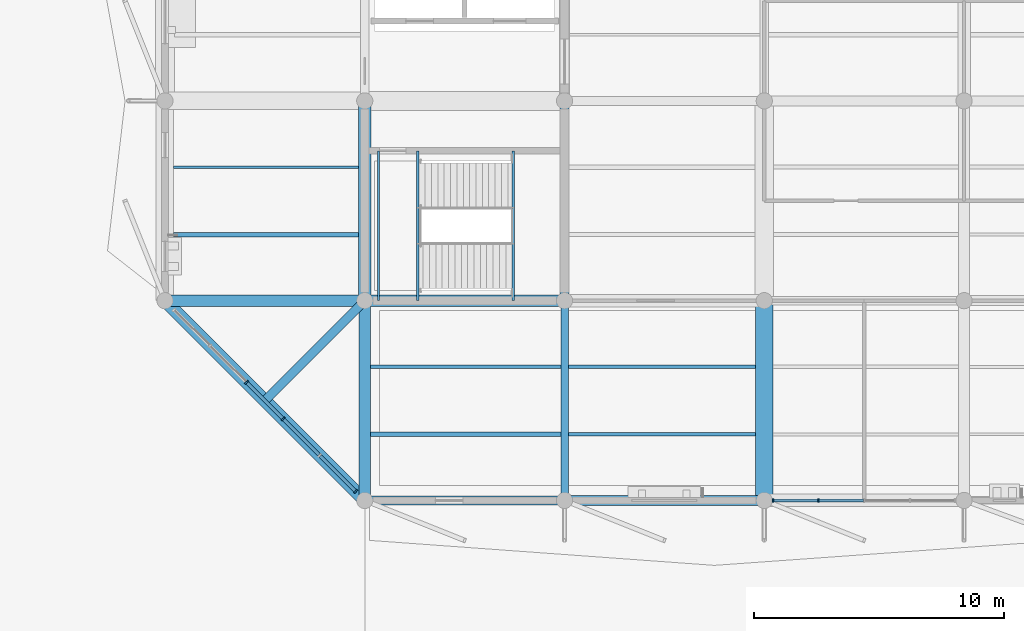
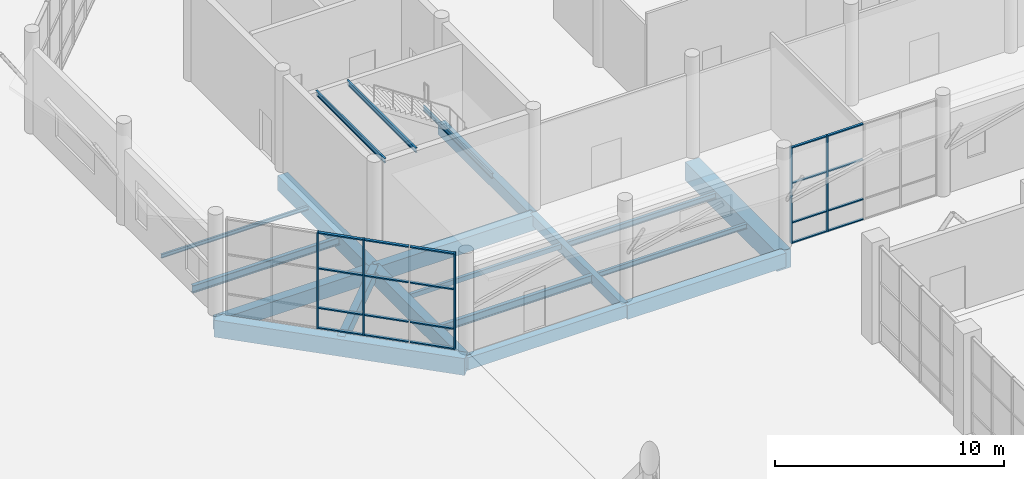
# One storey, part 46 of 123: 25 members, 20 beams, 2 elements without a shape of their own.
"""IFC4 building model written with IfcOpenShell, lengths in metres."""

from ifc_helpers import new_model, si_unit, direction, frame, origin, origin_2d, place, context, subcontext, project, spatial, rectangle, hollow_rectangle, i_section, extrude, material, material_profile, profile_set, type_object, element, aggregate, save


model = new_model("IFC4")

# Units and contexts
model_context = context("Model", 3, precision=1e-05, world=origin(), true_north=direction((0.0, 1.0)))
body_context = subcontext(model_context, "Body", "Model", "MODEL_VIEW")
ifc_project = project(units=[si_unit("LENGTHUNIT", "METRE"), si_unit("AREAUNIT", "SQUARE_METRE"), si_unit("VOLUMEUNIT", "CUBIC_METRE"), si_unit("PLANEANGLEUNIT", "RADIAN"), si_unit("MASSUNIT", "GRAM", prefix="KILO")], contexts=[model_context])

# Site, building, storey
site_placement = place(None, origin())
site = spatial("IfcSite", under=ifc_project, at=site_placement, CompositionType="ELEMENT")
building_placement = place(site_placement, origin())
building = spatial("IfcBuilding", under=site, at=building_placement, Name="Tenunan Teduh Sports Hall", CompositionType="ELEMENT")
storey_placement = place(building_placement, origin())
storey = spatial("IfcBuildingStorey", under=building, at=storey_placement, Name="L00", CompositionType="ELEMENT", Elevation=0.0)

# Beams
ifc_material_1 = material(Name="Concrete C40/50", Category="concrete")
ifc_material_profile_1 = material_profile(ifc_material_1, rectangle(XDim=0.300048828125, YDim=0.550048828125, at=origin_2d()), Name="RCB 300x550")
ifc_profile_set_1 = profile_set([ifc_material_profile_1], Name="Concrete C40/50")
beam_type_1 = type_object("IfcBeamType", Name="BM-RC-300x550", PredefinedType="BEAM", material=ifc_profile_set_1)
beam_1_placement = place(storey_placement, frame((114.0, 86.0, -0.554931640625), z_axis=(0.0, 1.0, 0.0), x_axis=(-1.0, 0.0, 0.0)))
element("IfcBeam", 1, at=beam_1_placement, inside=storey, type_object=beam_type_1, Name="BM-B-02-L00-0842", PredefinedType="BEAM", context=body_context, shape_type="SweptSolid", body=[
    extrude(rectangle(XDim=0.300048828125, YDim=0.550048828125, at=origin_2d()), origin(), (0.0, 0.0, 1.0), 8.0),
])
ifc_material_2 = material(Name="Concrete C40/50", Category="concrete")
ifc_material_profile_2 = material_profile(ifc_material_2, rectangle(XDim=0.35009765625, YDim=0.60009765625, at=origin_2d()), Name="RCB 350x600")
ifc_profile_set_2 = profile_set([ifc_material_profile_2], Name="Concrete C40/50")
beam_type_2 = type_object("IfcBeamType", Name="BM-RC-350x600", PredefinedType="BEAM", material=ifc_profile_set_2)
beam_2_placement = place(storey_placement, frame((106.0, 94.0, -0.56005859375), z_axis=(-0.707106781187, -0.707106781187, 0.0), x_axis=(0.707106781187, -0.707106781187, 0.0)))
element("IfcBeam", 2, at=beam_2_placement, inside=storey, type_object=beam_type_2, Name="BM-B-04-L00-2237", PredefinedType="BEAM", context=body_context, shape_type="SweptSolid", body=[
    extrude(rectangle(XDim=0.35009765625, YDim=0.60009765625, at=origin_2d()), origin(), (0.0, 0.0, 1.0), 5.65673828125),
])
ifc_material_3 = material(Name="Concrete C40/50", Category="concrete")
ifc_material_profile_3 = material_profile(ifc_material_3, rectangle(XDim=0.35009765625, YDim=0.64990234375, at=origin_2d()), Name="RCB 350x650")
ifc_profile_set_3 = profile_set([ifc_material_profile_3], Name="Concrete C40/50")
beam_type_3 = type_object("IfcBeamType", Name="BM-RC-350x650", PredefinedType="BEAM", material=ifc_profile_set_3)
for number, where, z_axis, x_axis, name in (
    (3, (106.0, 86.0, -0.60498046875), (1.0, 0.0, 0.0), (0.0, 1.0, 0.0), "BM-B-05-L00-0692"),
    (4, (114.0, 94.0, -0.60498046875), (0.0, 1.0, 0.0), (-1.0, 0.0, 0.0), "BM-B-05-L00-0843"),
):
    element("IfcBeam", number, at=place(storey_placement, frame(where, z_axis=z_axis, x_axis=x_axis)), inside=storey, type_object=beam_type_3, Name=name, PredefinedType="BEAM", context=body_context, shape_type="SweptSolid", body=[
        extrude(rectangle(XDim=0.35009765625, YDim=0.64990234375, at=origin_2d()), origin(), (0.0, 0.0, 1.0), 8.0),
    ])
ifc_material_4 = material(Name="Concrete C40/50", Category="concrete")
ifc_material_profile_4 = material_profile(ifc_material_4, rectangle(XDim=0.39990234375, YDim=0.75, at=origin_2d()), Name="RCB 400x750")
ifc_profile_set_4 = profile_set([ifc_material_profile_4], Name="Concrete C40/50")
beam_type_4 = type_object("IfcBeamType", Name="BM-RC-400x750", PredefinedType="BEAM", material=ifc_profile_set_4)
beam_3_placement = place(storey_placement, frame((114.0, 86.0, -0.655029296875), z_axis=(1.0, 0.0, 0.0), x_axis=(0.0, 1.0, 0.0)))
element("IfcBeam", 5, at=beam_3_placement, inside=storey, type_object=beam_type_4, Name="BM-B-09-L00-0693", PredefinedType="BEAM", context=body_context, shape_type="SweptSolid", body=[
    extrude(rectangle(XDim=0.39990234375, YDim=0.75, at=origin_2d()), origin(), (0.0, 0.0, 1.0), 8.0),
])
ifc_material_5 = material(Name="Concrete C40/50", Category="concrete")
ifc_material_profile_5 = material_profile(ifc_material_5, rectangle(XDim=0.449951171875, YDim=0.75, at=origin_2d()), Name="RCB 450x750")
ifc_profile_set_5 = profile_set([ifc_material_profile_5], Name="Concrete C40/50")
beam_type_5 = type_object("IfcBeamType", Name="BM-RC-450x750", PredefinedType="BEAM", material=ifc_profile_set_5)
beam_4_placement = place(storey_placement, frame((98.0, 94.0, -0.655029296875), z_axis=(1.0, 0.0, 0.0), x_axis=(0.0, 1.0, 0.0)))
element("IfcBeam", 6, at=beam_4_placement, inside=storey, type_object=beam_type_5, Name="BM-B-11-L00-0708", PredefinedType="BEAM", context=body_context, shape_type="SweptSolid", body=[
    extrude(rectangle(XDim=0.449951171875, YDim=0.75, at=origin_2d()), origin(), (0.0, 0.0, 1.0), 8.0),
])
ifc_material_6 = material(Name="Concrete C40/50", Category="concrete")
ifc_material_profile_6 = material_profile(ifc_material_6, rectangle(XDim=0.449951171875, YDim=0.800048828125, at=origin_2d()), Name="RCB 450x800")
ifc_profile_set_6 = profile_set([ifc_material_profile_6], Name="Concrete C40/50")
beam_type_6 = type_object("IfcBeamType", Name="BM-RC-450x800", PredefinedType="BEAM", material=ifc_profile_set_6)
for number, where, z_axis, x_axis, name in (
    (7, (106.0, 94.0, -0.679931640625), (1.0, 0.0, 0.0), (0.0, 1.0, 0.0), "BM-B-12-L00-0709"),
    (8, (106.0, 86.0, -0.679931640625), (0.0, 1.0, 0.0), (-1.0, 0.0, 0.0), "BM-B-12-L00-0838"),
):
    element("IfcBeam", number, at=place(storey_placement, frame(where, z_axis=z_axis, x_axis=x_axis)), inside=storey, type_object=beam_type_6, Name=name, PredefinedType="BEAM", context=body_context, shape_type="SweptSolid", body=[
        extrude(rectangle(XDim=0.449951171875, YDim=0.800048828125, at=origin_2d()), origin(), (0.0, 0.0, 1.0), 8.0),
    ])
ifc_material_7 = material(Name="Concrete C40/50", Category="concrete")
ifc_material_profile_7 = material_profile(ifc_material_7, rectangle(XDim=0.5, YDim=0.800048828125, at=origin_2d()), Name="RCB 500x800")
ifc_profile_set_7 = profile_set([ifc_material_profile_7], Name="Concrete C40/50")
beam_type_7 = type_object("IfcBeamType", Name="BM-RC-500x800", PredefinedType="BEAM", material=ifc_profile_set_7)
beam_5_placement = place(storey_placement, frame((106.0, 94.0, -0.679931640625), z_axis=(0.0, 1.0, 0.0), x_axis=(-1.0, 0.0, 0.0)))
element("IfcBeam", 9, at=beam_5_placement, inside=storey, type_object=beam_type_7, Name="BM-B-14-L00-0839", PredefinedType="BEAM", context=body_context, shape_type="SweptSolid", body=[
    extrude(rectangle(XDim=0.5, YDim=0.800048828125, at=origin_2d()), origin(), (0.0, 0.0, 1.0), 8.0),
])
ifc_material_8 = material(Name="Concrete C40/50", Category="concrete")
ifc_material_profile_8 = material_profile(ifc_material_8, rectangle(XDim=0.5, YDim=0.89990234375, at=origin_2d()), Name="RCB 500x900")
ifc_profile_set_8 = profile_set([ifc_material_profile_8], Name="Concrete C40/50")
beam_type_8 = type_object("IfcBeamType", Name="BM-RC-500x900", PredefinedType="BEAM", material=ifc_profile_set_8)
beam_6_placement = place(storey_placement, frame((98.0, 94.0, -0.7099609375), z_axis=(0.707106781187, -0.707106781187, 0.0), x_axis=(0.707106781187, 0.707106781187, 0.0)))
element("IfcBeam", 10, at=beam_6_placement, inside=storey, type_object=beam_type_8, Name="BM-B-15-L00-0602", PredefinedType="BEAM", context=body_context, shape_type="SweptSolid", body=[
    extrude(rectangle(XDim=0.5, YDim=0.89990234375, at=origin_2d()), origin(), (0.0, 0.0, 1.0), 11.313720703125),
])
ifc_material_9 = material(Name="Concrete C40/50", Category="concrete")
ifc_material_profile_9 = material_profile(ifc_material_9, rectangle(XDim=0.699951171875, YDim=1.0, at=origin_2d()), Name="RCB 700x1000")
ifc_profile_set_9 = profile_set([ifc_material_profile_9], Name="Concrete C40/50")
beam_type_9 = type_object("IfcBeamType", Name="BM-RC-700x1000", PredefinedType="SPANDREL", material=ifc_profile_set_9)
beam_7_placement = place(storey_placement, frame((122.0, 86.0, -0.780029296875), z_axis=(0.0, 1.0, 0.0), x_axis=(-1.0, 0.0, 0.0)))
element("IfcBeam", 11, at=beam_7_placement, inside=storey, type_object=beam_type_9, Name="BM-B-19-L00-0854", PredefinedType="SPANDREL", context=body_context, shape_type="SweptSolid", body=[
    extrude(rectangle(XDim=0.699951171875, YDim=1.0, at=origin_2d()), origin(), (0.0, 0.0, 1.0), 8.0),
])

# Curtain wall, members
ifc_material_10 = material(Name="Anodised aluminium", Category="aluminium")
curtain_wall_type = type_object("IfcCurtainWallType", Name="CW-UNIT-1", PredefinedType="NOTDEFINED", material=ifc_material_10)
curtain_wall_1_placement = place(storey_placement, origin())
curtain_wall_1 = element("IfcCurtainWall", 12, at=curtain_wall_1_placement, inside=storey, type_object=curtain_wall_type, Name="CW-CWM-150-L00-235", PredefinedType="NOTDEFINED")
ifc_material_11 = material(Name="Anodised aluminium", Category="aluminium")
ifc_material_profile_10 = material_profile(ifc_material_11, rectangle(XDim=0.06005859375, YDim=0.14990234375, at=origin_2d()), Name="CWM 60x150")
ifc_profile_set_10 = profile_set([ifc_material_profile_10], Name="Anodised aluminium")
member_type_1 = type_object("IfcMemberType", Name="CWM-150", PredefinedType="MULLION", material=ifc_profile_set_10)
member_1_placement = place(storey_placement, frame((122.35498046875, 86.0, 0.0), z_axis=(0.0, 0.0, 1.0), x_axis=(1.0, 0.0, 0.0)))
member_1 = element("IfcMember", 13, at=member_1_placement, type_object=member_type_1, Name="CW-01 mullion 1", PredefinedType="MULLION", context=body_context, shape_type="SweptSolid", body=[
    extrude(rectangle(XDim=0.06005859375, YDim=0.14990234375, at=origin_2d()), origin(), (0.0, 0.0, 1.0), 5.1201171875),
])
member_2_placement = place(storey_placement, frame((124.16259765625, 86.0, 0.0), z_axis=(0.0, 0.0, 1.0), x_axis=(1.0, 0.0, 0.0)))
member_2 = element("IfcMember", 14, at=member_2_placement, type_object=member_type_1, Name="CW-01 mullion 2", PredefinedType="MULLION", context=body_context, shape_type="SweptSolid", body=[
    extrude(rectangle(XDim=0.06005859375, YDim=0.14990234375, at=origin_2d()), origin(), (0.0, 0.0, 1.0), 5.1201171875),
])

curtain_wall_2_placement = place(storey_placement, origin())
curtain_wall_2 = element("IfcCurtainWall", 15, at=curtain_wall_2_placement, inside=storey, type_object=curtain_wall_type, Name="CW-CWM-175-L00-242", PredefinedType="NOTDEFINED")
ifc_material_12 = material(Name="Anodised aluminium", Category="aluminium")
ifc_material_profile_11 = material_profile(ifc_material_12, rectangle(XDim=0.06494140625, YDim=0.175048828125, at=origin_2d()), Name="CWM 65x175")
ifc_profile_set_11 = profile_set([ifc_material_profile_11], Name="Anodised aluminium")
member_type_2 = type_object("IfcMemberType", Name="CWM-175", PredefinedType="MULLION", material=ifc_profile_set_11)
member_3_placement = place(storey_placement, frame((101.268310546875, 90.731689453125, 0.0), z_axis=(0.0, 0.0, 1.0), x_axis=(-0.707106781187, 0.707106781187, 0.0)))
member_3 = element("IfcMember", 16, at=member_3_placement, type_object=member_type_2, Name="CW-01 mullion 3", PredefinedType="MULLION", context=body_context, shape_type="SweptSolid", body=[
    extrude(rectangle(XDim=0.06494140625, YDim=0.175048828125, at=origin_2d()), origin(), (0.0, 0.0, 1.0), 5.1201171875),
])
member_4_placement = place(storey_placement, frame((102.731689453125, 89.268310546875, 0.0), z_axis=(0.0, 0.0, 1.0), x_axis=(-0.707106781187, 0.707106781187, 0.0)))
member_4 = element("IfcMember", 17, at=member_4_placement, type_object=member_type_2, Name="CW-01 mullion 4", PredefinedType="MULLION", context=body_context, shape_type="SweptSolid", body=[
    extrude(rectangle(XDim=0.06494140625, YDim=0.175048828125, at=origin_2d()), origin(), (0.0, 0.0, 1.0), 5.1201171875),
])
member_5_placement = place(storey_placement, frame((105.6357421875, 86.3642578125, 0.0), z_axis=(0.0, 0.0, 1.0), x_axis=(-0.707106781187, 0.707106781187, 0.0)))
member_5 = element("IfcMember", 18, at=member_5_placement, type_object=member_type_2, Name="CW-01 mullion 6", PredefinedType="MULLION", context=body_context, shape_type="SweptSolid", body=[
    extrude(rectangle(XDim=0.06494140625, YDim=0.175048828125, at=origin_2d()), origin(), (0.0, 0.0, 1.0), 5.1201171875),
])

# Member
ifc_material_13 = material(Name="Anodised aluminium", Category="aluminium")
ifc_material_profile_12 = material_profile(ifc_material_13, rectangle(XDim=0.06005859375, YDim=0.1201171875, at=origin_2d()), Name="CWT 60x120")
ifc_profile_set_12 = profile_set([ifc_material_profile_12], Name="Anodised aluminium")
member_type_3 = type_object("IfcMemberType", Name="CWT-125", PredefinedType="USERDEFINED", material=ifc_profile_set_12)
member_6_placement = place(storey_placement, frame((122.385009765625, 86.0, 0.030029296875), z_axis=(1.0, 0.0, 0.0), x_axis=(0.0, 0.0, 1.0)))
member_6 = element("IfcMember", 19, at=member_6_placement, type_object=member_type_3, Name="CW-01 transom 1.1", ObjectType="TRANSOM", PredefinedType="USERDEFINED", context=body_context, shape_type="SweptSolid", body=[
    extrude(rectangle(XDim=0.06005859375, YDim=0.1201171875, at=origin_2d()), origin(), (0.0, 0.0, 1.0), 1.74755859375),
])

member_7_placement = place(storey_placement, frame((122.385009765625, 86.0, 1.10009765625), z_axis=(1.0, 0.0, 0.0), x_axis=(0.0, 0.0, 1.0)))
member_7 = element("IfcMember", 20, at=member_7_placement, type_object=member_type_3, Name="CW-01 transom 1.2", ObjectType="TRANSOM", PredefinedType="USERDEFINED", context=body_context, shape_type="SweptSolid", body=[
    extrude(rectangle(XDim=0.06005859375, YDim=0.1201171875, at=origin_2d()), origin(), (0.0, 0.0, 1.0), 1.74755859375),
])

member_8_placement = place(storey_placement, frame((122.385009765625, 86.0, 3.199951171875), z_axis=(1.0, 0.0, 0.0), x_axis=(0.0, 0.0, 1.0)))
member_8 = element("IfcMember", 21, at=member_8_placement, type_object=member_type_3, Name="CW-01 transom 1.3", ObjectType="TRANSOM", PredefinedType="USERDEFINED", context=body_context, shape_type="SweptSolid", body=[
    extrude(rectangle(XDim=0.06005859375, YDim=0.1201171875, at=origin_2d()), origin(), (0.0, 0.0, 1.0), 1.74755859375),
])

member_9_placement = place(storey_placement, frame((122.385009765625, 86.0, 5.090087890625), z_axis=(1.0, 0.0, 0.0), x_axis=(0.0, 0.0, 1.0)))
member_9 = element("IfcMember", 22, at=member_9_placement, type_object=member_type_3, Name="CW-01 transom 1.4", ObjectType="TRANSOM", PredefinedType="USERDEFINED", context=body_context, shape_type="SweptSolid", body=[
    extrude(rectangle(XDim=0.06005859375, YDim=0.1201171875, at=origin_2d()), origin(), (0.0, 0.0, 1.0), 1.74755859375),
])

member_10_placement = place(storey_placement, frame((124.1923828125, 86.0, 0.030029296875), z_axis=(1.0, 0.0, 0.0), x_axis=(0.0, 0.0, 1.0)))
member_10 = element("IfcMember", 23, at=member_10_placement, type_object=member_type_3, Name="CW-01 transom 2.1", ObjectType="TRANSOM", PredefinedType="USERDEFINED", context=body_context, shape_type="SweptSolid", body=[
    extrude(rectangle(XDim=0.06005859375, YDim=0.1201171875, at=origin_2d()), origin(), (0.0, 0.0, 1.0), 1.777587890625),
])

member_11_placement = place(storey_placement, frame((124.1923828125, 86.0, 1.10009765625), z_axis=(1.0, 0.0, 0.0), x_axis=(0.0, 0.0, 1.0)))
member_11 = element("IfcMember", 24, at=member_11_placement, type_object=member_type_3, Name="CW-01 transom 2.2", ObjectType="TRANSOM", PredefinedType="USERDEFINED", context=body_context, shape_type="SweptSolid", body=[
    extrude(rectangle(XDim=0.06005859375, YDim=0.1201171875, at=origin_2d()), origin(), (0.0, 0.0, 1.0), 1.777587890625),
])

member_12_placement = place(storey_placement, frame((124.1923828125, 86.0, 3.199951171875), z_axis=(1.0, 0.0, 0.0), x_axis=(0.0, 0.0, 1.0)))
member_12 = element("IfcMember", 25, at=member_12_placement, type_object=member_type_3, Name="CW-01 transom 2.3", ObjectType="TRANSOM", PredefinedType="USERDEFINED", context=body_context, shape_type="SweptSolid", body=[
    extrude(rectangle(XDim=0.06005859375, YDim=0.1201171875, at=origin_2d()), origin(), (0.0, 0.0, 1.0), 1.777587890625),
])

member_13_placement = place(storey_placement, frame((124.1923828125, 86.0, 5.090087890625), z_axis=(1.0, 0.0, 0.0), x_axis=(0.0, 0.0, 1.0)))
member_13 = element("IfcMember", 26, at=member_13_placement, type_object=member_type_3, Name="CW-01 transom 2.4", ObjectType="TRANSOM", PredefinedType="USERDEFINED", context=body_context, shape_type="SweptSolid", body=[
    extrude(rectangle(XDim=0.06005859375, YDim=0.1201171875, at=origin_2d()), origin(), (0.0, 0.0, 1.0), 1.777587890625),
])

aggregate(curtain_wall_1, [member_1, member_2, member_6, member_7, member_8, member_9, member_10, member_11, member_12, member_13])

ifc_material_14 = material(Name="Anodised aluminium", Category="aluminium")
ifc_material_profile_13 = material_profile(ifc_material_14, rectangle(XDim=0.06494140625, YDim=0.139892578125, at=origin_2d()), Name="CWT 65x140")
ifc_profile_set_13 = profile_set([ifc_material_profile_13], Name="Anodised aluminium")
member_type_4 = type_object("IfcMemberType", Name="CWT-150", PredefinedType="USERDEFINED", material=ifc_profile_set_13)
member_14_placement = place(storey_placement, frame((101.291259765625, 90.708740234375, 0.032470703125), z_axis=(0.707106781187, -0.707106781187, 0.0), x_axis=(0.0, 0.0, 1.0)))
member_14 = element("IfcMember", 27, at=member_14_placement, type_object=member_type_4, Name="CW-01 transom 3.1", ObjectType="TRANSOM", PredefinedType="USERDEFINED", context=body_context, shape_type="SweptSolid", body=[
    extrude(rectangle(XDim=0.06494140625, YDim=0.139892578125, at=origin_2d()), origin(), (0.0, 0.0, 1.0), 2.004638671875),
])

member_15_placement = place(storey_placement, frame((101.291259765625, 90.708740234375, 1.10009765625), z_axis=(0.707106781187, -0.707106781187, 0.0), x_axis=(0.0, 0.0, 1.0)))
member_15 = element("IfcMember", 28, at=member_15_placement, type_object=member_type_4, Name="CW-01 transom 3.2", ObjectType="TRANSOM", PredefinedType="USERDEFINED", context=body_context, shape_type="SweptSolid", body=[
    extrude(rectangle(XDim=0.06494140625, YDim=0.139892578125, at=origin_2d()), origin(), (0.0, 0.0, 1.0), 2.004638671875),
])

member_16_placement = place(storey_placement, frame((101.291259765625, 90.708740234375, 3.199951171875), z_axis=(0.707106781187, -0.707106781187, 0.0), x_axis=(0.0, 0.0, 1.0)))
member_16 = element("IfcMember", 29, at=member_16_placement, type_object=member_type_4, Name="CW-01 transom 3.3", ObjectType="TRANSOM", PredefinedType="USERDEFINED", context=body_context, shape_type="SweptSolid", body=[
    extrude(rectangle(XDim=0.06494140625, YDim=0.139892578125, at=origin_2d()), origin(), (0.0, 0.0, 1.0), 2.004638671875),
])

member_17_placement = place(storey_placement, frame((101.291259765625, 90.708740234375, 5.08740234375), z_axis=(0.707106781187, -0.707106781187, 0.0), x_axis=(0.0, 0.0, 1.0)))
member_17 = element("IfcMember", 30, at=member_17_placement, type_object=member_type_4, Name="CW-01 transom 3.4", ObjectType="TRANSOM", PredefinedType="USERDEFINED", context=body_context, shape_type="SweptSolid", body=[
    extrude(rectangle(XDim=0.06494140625, YDim=0.139892578125, at=origin_2d()), origin(), (0.0, 0.0, 1.0), 2.004638671875),
])

member_18_placement = place(storey_placement, frame((102.754638671875, 89.245361328125, 0.032470703125), z_axis=(0.707106781187, -0.707106781187, 0.0), x_axis=(0.0, 0.0, 1.0)))
member_18 = element("IfcMember", 31, at=member_18_placement, type_object=member_type_4, Name="CW-01 transom 4.1", ObjectType="TRANSOM", PredefinedType="USERDEFINED", context=body_context, shape_type="SweptSolid", body=[
    extrude(rectangle(XDim=0.06494140625, YDim=0.139892578125, at=origin_2d()), origin(), (0.0, 0.0, 1.0), 2.004638671875),
])

member_19_placement = place(storey_placement, frame((102.754638671875, 89.245361328125, 1.10009765625), z_axis=(0.707106781187, -0.707106781187, 0.0), x_axis=(0.0, 0.0, 1.0)))
member_19 = element("IfcMember", 32, at=member_19_placement, type_object=member_type_4, Name="CW-01 transom 4.2", ObjectType="TRANSOM", PredefinedType="USERDEFINED", context=body_context, shape_type="SweptSolid", body=[
    extrude(rectangle(XDim=0.06494140625, YDim=0.139892578125, at=origin_2d()), origin(), (0.0, 0.0, 1.0), 2.004638671875),
])

member_20_placement = place(storey_placement, frame((102.754638671875, 89.245361328125, 3.199951171875), z_axis=(0.707106781187, -0.707106781187, 0.0), x_axis=(0.0, 0.0, 1.0)))
member_20 = element("IfcMember", 33, at=member_20_placement, type_object=member_type_4, Name="CW-01 transom 4.3", ObjectType="TRANSOM", PredefinedType="USERDEFINED", context=body_context, shape_type="SweptSolid", body=[
    extrude(rectangle(XDim=0.06494140625, YDim=0.139892578125, at=origin_2d()), origin(), (0.0, 0.0, 1.0), 2.004638671875),
])

member_21_placement = place(storey_placement, frame((102.754638671875, 89.245361328125, 5.08740234375), z_axis=(0.707106781187, -0.707106781187, 0.0), x_axis=(0.0, 0.0, 1.0)))
member_21 = element("IfcMember", 34, at=member_21_placement, type_object=member_type_4, Name="CW-01 transom 4.4", ObjectType="TRANSOM", PredefinedType="USERDEFINED", context=body_context, shape_type="SweptSolid", body=[
    extrude(rectangle(XDim=0.06494140625, YDim=0.139892578125, at=origin_2d()), origin(), (0.0, 0.0, 1.0), 2.004638671875),
])

member_22_placement = place(storey_placement, frame((104.21826171875, 87.78173828125, 0.032470703125), z_axis=(0.707106781187, -0.707106781187, 0.0), x_axis=(0.0, 0.0, 1.0)))
member_22 = element("IfcMember", 35, at=member_22_placement, type_object=member_type_4, Name="CW-01 transom 5.1", ObjectType="TRANSOM", PredefinedType="USERDEFINED", context=body_context, shape_type="SweptSolid", body=[
    extrude(rectangle(XDim=0.06494140625, YDim=0.139892578125, at=origin_2d()), origin(), (0.0, 0.0, 1.0), 1.97216796875),
])

member_23_placement = place(storey_placement, frame((104.21826171875, 87.78173828125, 1.10009765625), z_axis=(0.707106781187, -0.707106781187, 0.0), x_axis=(0.0, 0.0, 1.0)))
member_23 = element("IfcMember", 36, at=member_23_placement, type_object=member_type_4, Name="CW-01 transom 5.2", ObjectType="TRANSOM", PredefinedType="USERDEFINED", context=body_context, shape_type="SweptSolid", body=[
    extrude(rectangle(XDim=0.06494140625, YDim=0.139892578125, at=origin_2d()), origin(), (0.0, 0.0, 1.0), 1.97216796875),
])

member_24_placement = place(storey_placement, frame((104.21826171875, 87.78173828125, 3.199951171875), z_axis=(0.707106781187, -0.707106781187, 0.0), x_axis=(0.0, 0.0, 1.0)))
member_24 = element("IfcMember", 37, at=member_24_placement, type_object=member_type_4, Name="CW-01 transom 5.3", ObjectType="TRANSOM", PredefinedType="USERDEFINED", context=body_context, shape_type="SweptSolid", body=[
    extrude(rectangle(XDim=0.06494140625, YDim=0.139892578125, at=origin_2d()), origin(), (0.0, 0.0, 1.0), 1.97216796875),
])

member_25_placement = place(storey_placement, frame((104.21826171875, 87.78173828125, 5.08740234375), z_axis=(0.707106781187, -0.707106781187, 0.0), x_axis=(0.0, 0.0, 1.0)))
member_25 = element("IfcMember", 38, at=member_25_placement, type_object=member_type_4, Name="CW-01 transom 5.4", ObjectType="TRANSOM", PredefinedType="USERDEFINED", context=body_context, shape_type="SweptSolid", body=[
    extrude(rectangle(XDim=0.06494140625, YDim=0.139892578125, at=origin_2d()), origin(), (0.0, 0.0, 1.0), 1.97216796875),
])

aggregate(curtain_wall_2, [member_3, member_4, member_5, member_14, member_15, member_16, member_17, member_18, member_19, member_20, member_21, member_22, member_23, member_24, member_25])

# Beams
ifc_material_15 = material(Name="Steel S355", Category="steel")
ifc_material_profile_14 = material_profile(ifc_material_15, i_section(OverallWidth=0.10009765625, OverallDepth=0.199951171875, WebThickness=0.005615234375, FlangeThickness=0.008544921875, FilletRadius=0.011962890625, at=origin_2d()), Name="IPE 200")
ifc_profile_set_14 = profile_set([ifc_material_profile_14], Name="Steel S355")
beam_type_10 = type_object("IfcBeamType", Name="JST-IPE200", PredefinedType="JOIST", material=ifc_profile_set_14)
beam_8_placement = place(storey_placement, frame((98.35009765625, 99.35009765625, -0.3798828125), z_axis=(1.0, 0.0, 0.0), x_axis=(0.0, 1.0, 0.0)))
element("IfcBeam", 39, at=beam_8_placement, inside=storey, type_object=beam_type_10, Name="BM-J-01-L00-0985", PredefinedType="JOIST", context=body_context, shape_type="SweptSolid", body=[
    extrude(i_section(OverallWidth=0.10009765625, OverallDepth=0.199951171875, WebThickness=0.005615234375, FlangeThickness=0.008544921875, FilletRadius=0.011962890625, at=origin_2d()), origin(), (0.0, 0.0, 1.0), 7.39990234375),
])
ifc_material_16 = material(Name="Steel S355", Category="steel")
ifc_material_profile_15 = material_profile(ifc_material_16, i_section(OverallWidth=0.135009765625, OverallDepth=0.27001953125, WebThickness=0.006591796875, FlangeThickness=0.01025390625, FilletRadius=0.014892578125, at=origin_2d()), Name="IPE 270")
ifc_profile_set_15 = profile_set([ifc_material_profile_15], Name="Steel S355")
beam_type_11 = type_object("IfcBeamType", Name="JST-IPE270", PredefinedType="JOIST", material=ifc_profile_set_15)
beam_9_placement = place(storey_placement, frame((114.14990234375, 88.64990234375, -0.4150390625), z_axis=(1.0, 0.0, 0.0), x_axis=(0.0, 1.0, 0.0)))
element("IfcBeam", 40, at=beam_9_placement, inside=storey, type_object=beam_type_11, Name="BM-J-03-L00-0992", PredefinedType="JOIST", context=body_context, shape_type="SweptSolid", body=[
    extrude(i_section(OverallWidth=0.135009765625, OverallDepth=0.27001953125, WebThickness=0.006591796875, FlangeThickness=0.01025390625, FilletRadius=0.014892578125, at=origin_2d()), origin(), (0.0, 0.0, 1.0), 7.5),
])
ifc_material_17 = material(Name="Steel S355", Category="steel")
ifc_material_profile_16 = material_profile(ifc_material_17, i_section(OverallWidth=0.14990234375, OverallDepth=0.300048828125, WebThickness=0.007080078125, FlangeThickness=0.0107421875, FilletRadius=0.014892578125, at=origin_2d()), Name="IPE 300")
ifc_profile_set_16 = profile_set([ifc_material_profile_16], Name="Steel S355")
beam_type_12 = type_object("IfcBeamType", Name="JST-IPE300", PredefinedType="JOIST", material=ifc_profile_set_16)
beam_10_placement = place(storey_placement, frame((114.14990234375, 91.35009765625, -0.429931640625), z_axis=(1.0, 0.0, 0.0), x_axis=(0.0, 1.0, 0.0)))
element("IfcBeam", 41, at=beam_10_placement, inside=storey, type_object=beam_type_12, Name="BM-J-04-L00-0993", PredefinedType="JOIST", context=body_context, shape_type="SweptSolid", body=[
    extrude(i_section(OverallWidth=0.14990234375, OverallDepth=0.300048828125, WebThickness=0.007080078125, FlangeThickness=0.0107421875, FilletRadius=0.014892578125, at=origin_2d()), origin(), (0.0, 0.0, 1.0), 7.5),
])
ifc_material_18 = material(Name="Steel S355", Category="steel")
ifc_material_profile_17 = material_profile(ifc_material_18, i_section(OverallWidth=0.179931640625, OverallDepth=0.39990234375, WebThickness=0.008544921875, FlangeThickness=0.013427734375, FilletRadius=0.02099609375, at=origin_2d()), Name="IPE 400")
ifc_profile_set_17 = profile_set([ifc_material_profile_17], Name="Steel S355")
beam_type_13 = type_object("IfcBeamType", Name="JST-IPE400", PredefinedType="JOIST", material=ifc_profile_set_17)
beam_11_placement = place(storey_placement, frame((98.35009765625, 96.64990234375, -0.47998046875), z_axis=(1.0, 0.0, 0.0), x_axis=(0.0, 1.0, 0.0)))
element("IfcBeam", 42, at=beam_11_placement, inside=storey, type_object=beam_type_13, Name="BM-J-06-L00-0984", PredefinedType="JOIST", context=body_context, shape_type="SweptSolid", body=[
    extrude(i_section(OverallWidth=0.179931640625, OverallDepth=0.39990234375, WebThickness=0.008544921875, FlangeThickness=0.013427734375, FilletRadius=0.02099609375, at=origin_2d()), origin(), (0.0, 0.0, 1.0), 7.39990234375),
])
ifc_material_19 = material(Name="Steel S355", Category="steel")
ifc_material_profile_18 = material_profile(ifc_material_19, hollow_rectangle(XDim=0.14990234375, YDim=0.25, WallThickness=0.010009765625, at=origin_2d()), Name="RHS 250x150x10.0")
ifc_profile_set_18 = profile_set([ifc_material_profile_18], Name="Steel S355")
beam_type_14 = type_object("IfcBeamType", Name="RBM-RHS250", PredefinedType="BEAM", material=ifc_profile_set_18)
beam_12_placement = place(storey_placement, frame((106.22509765625, 91.35009765625, -0.405029296875), z_axis=(1.0, 0.0, 0.0), x_axis=(0.0, 1.0, 0.0)))
element("IfcBeam", 43, at=beam_12_placement, inside=storey, type_object=beam_type_14, Name="Perimeter Ring Beam BM-RB-04-L00-0989", PredefinedType="BEAM", context=body_context, shape_type="SweptSolid", body=[
    extrude(hollow_rectangle(XDim=0.14990234375, YDim=0.25, WallThickness=0.010009765625, at=origin_2d()), origin(), (0.0, 0.0, 1.0), 7.625),
])
ifc_material_20 = material(Name="Steel S355", Category="steel")
ifc_material_profile_19 = material_profile(ifc_material_20, i_section(OverallWidth=0.177978515625, OverallDepth=0.406494140625, WebThickness=0.0078125, FlangeThickness=0.0126953125, FilletRadius=0.01025390625, at=origin_2d()), Name="UKB 406x178x60")
ifc_profile_set_19 = profile_set([ifc_material_profile_19], Name="Steel S355")
beam_type_15 = type_object("IfcBeamType", Name="SBM-UKB406", PredefinedType="BEAM", material=ifc_profile_set_19)
beam_13_placement = place(storey_placement, frame((106.22509765625, 88.64990234375, -0.483154296875), z_axis=(1.0, 0.0, 0.0), x_axis=(0.0, 1.0, 0.0)))
element("IfcBeam", 44, at=beam_13_placement, inside=storey, type_object=beam_type_15, Name="BM-SB-03-L00-0988", PredefinedType="BEAM", context=body_context, shape_type="SweptSolid", body=[
    extrude(i_section(OverallWidth=0.177978515625, OverallDepth=0.406494140625, WebThickness=0.0078125, FlangeThickness=0.0126953125, FilletRadius=0.01025390625, at=origin_2d()), origin(), (0.0, 0.0, 1.0), 7.625),
])
ifc_material_21 = material(Name="Steel S355", Category="steel")
ifc_material_profile_20 = material_profile(ifc_material_21, i_section(OverallWidth=0.090087890625, OverallDepth=0.260009765625, WebThickness=0.008056640625, FlangeThickness=0.013916015625, FilletRadius=0.011962890625, at=origin_2d()), Name="PFC 260x90")
ifc_profile_set_20 = profile_set([ifc_material_profile_20], Name="Steel S355")
beam_type_16 = type_object("IfcBeamType", Name="STR-BM-TRIM", PredefinedType="BEAM", material=ifc_profile_set_20)
for number, where, z_axis, x_axis, name in (
    (45, (111.945068359375, 94.0, 2.3701171875), (0.0, 1.0, 0.0), (-1.0, 0.0, 0.0), "BM-SS-02-E1-L00-M"),
    (46, (108.1201171875, 94.0, 5.070068359375), (0.0, 1.0, 0.0), (-1.0, 0.0, 0.0), "BM-SS-02-E1-L00-T"),
    (47, (106.550048828125, 94.0, 5.070068359375), (0.0, 1.0, 0.0), (-1.0, 0.0, 0.0), "BM-SS-02-E1-L00-TW"),
):
    element("IfcBeam", number, at=place(storey_placement, frame(where, z_axis=z_axis, x_axis=x_axis)), inside=storey, type_object=beam_type_16, Name=name, PredefinedType="BEAM", context=body_context, shape_type="SweptSolid", body=[
        extrude(i_section(OverallWidth=0.090087890625, OverallDepth=0.260009765625, WebThickness=0.008056640625, FlangeThickness=0.013916015625, FilletRadius=0.011962890625, at=origin_2d()), origin(), (0.0, 0.0, 1.0), 6.0),
    ])

save(model, "model.ifc")
